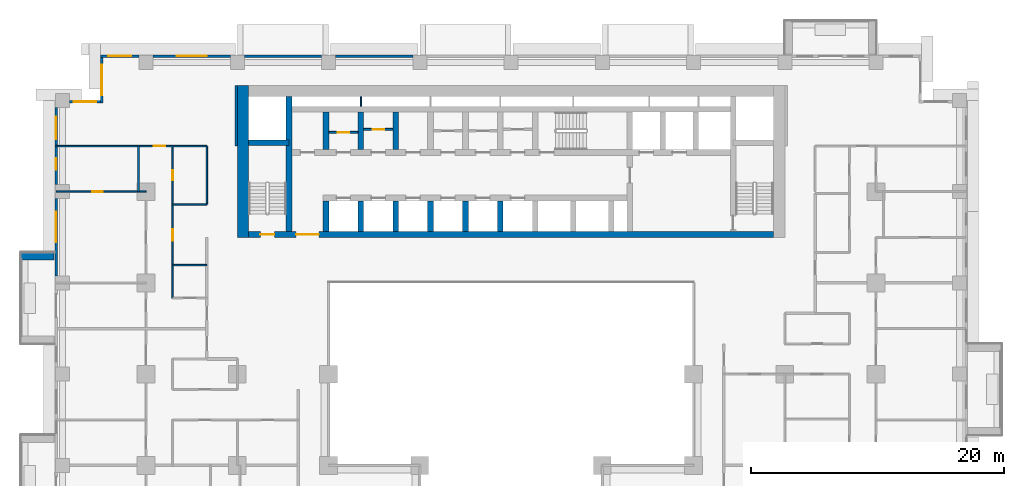
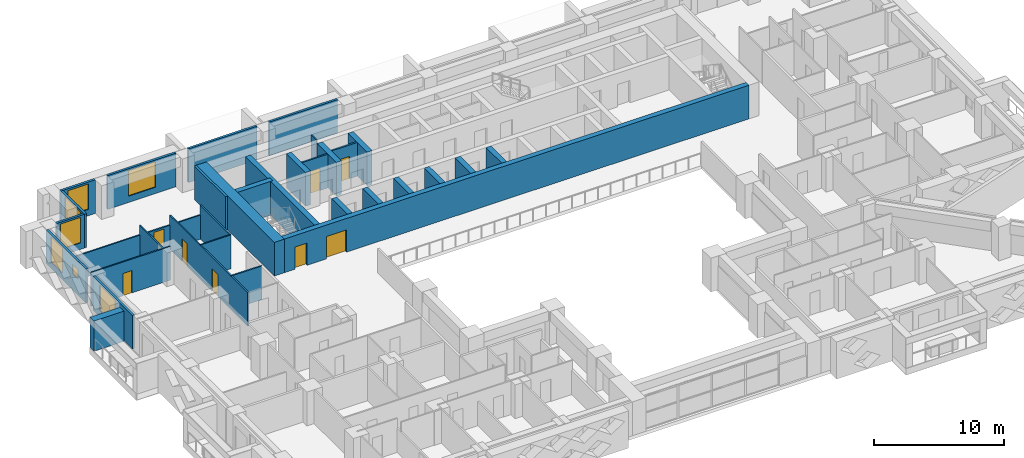
# One storey, part 9 of 16: 33 walls, 8 doors, 7 windows, 15 openings.
"""IFC4 building model written with IfcOpenShell, lengths in metres."""

from ifc_helpers import new_model, si_unit, direction, frame, frame_2d, origin, place, context, subcontext, project, spatial, rectangle, extrude, material, layer, layer_set, type_object, element, fill, save


model = new_model("IFC4")

# Units and contexts
model_context = context("Model", 3, precision=1e-05, world=origin(), true_north=direction((0.0, 1.0)))
body_context = subcontext(model_context, "Body", "Model", "MODEL_VIEW")
ifc_project = project(units=[si_unit("LENGTHUNIT", "METRE"), si_unit("AREAUNIT", "SQUARE_METRE"), si_unit("VOLUMEUNIT", "CUBIC_METRE"), si_unit("PLANEANGLEUNIT", "RADIAN"), si_unit("MASSUNIT", "GRAM", prefix="KILO")], contexts=[model_context])

# Site, building, storey
site_placement = place(None, origin())
site = spatial("IfcSite", under=ifc_project, at=site_placement, CompositionType="ELEMENT")
building_placement = place(site_placement, origin())
building = spatial("IfcBuilding", under=site, at=building_placement, Name="Saffron Iwan Residences", CompositionType="ELEMENT")
storey_placement = place(building_placement, frame((0.0, 0.0, 44.5)))
storey = spatial("IfcBuildingStorey", under=building, at=storey_placement, Name="L10", CompositionType="ELEMENT", Elevation=44.5)

# Wall
ifc_material_1 = material(Name="Concrete C50/60 white painted", Category="concrete")
ifc_layer_1 = layer(ifc_material_1, 0.60009765625)
ifc_layer_set_1 = layer_set([ifc_layer_1], Name="Concrete C50/60 white painted")
wall_type_1 = type_object("IfcWallType", Name="BALCONY FIN 600", PredefinedType="SOLIDWALL", material=ifc_layer_set_1)
wall_1_placement = place(storey_placement, frame((14.35009765625, 64.5, 0.0), z_axis=(0.0, 0.0, 1.0), x_axis=(-1.0, 0.0, 0.0)))
element("IfcWall", 1, at=wall_1_placement, inside=storey, type_object=wall_type_1, Name="Balcony fin L10 F8-0a", PredefinedType="SOLIDWALL", context=body_context, shape_type="SweptSolid", body=[
    extrude(rectangle(XDim=2.650146484375, YDim=0.60009765625, at=frame_2d((1.3251953125, 0.0))), origin(), (0.0, 0.0, 1.0), 2.85009765625),
])

# Wall, opening, door
ifc_material_2 = material(Name="Fire-rated plasterboard partition")
ifc_layer_2 = layer(ifc_material_2, 0.14990234375)
ifc_layer_set_2 = layer_set([ifc_layer_2], Name="Fire-rated plasterboard partition")
wall_type_2 = type_object("IfcWallType", Name="Core partition 150", PredefinedType="PARTITIONING", material=ifc_layer_set_2)
wall_2_placement = place(storey_placement, frame((36.02490234375, 74.281982421875, 0.0), z_axis=(0.0, 0.0, 1.0), x_axis=(1.0, 0.0, 0.0)))
wall_2 = element("IfcWall", 2, at=wall_2_placement, inside=storey, type_object=wall_type_2, Name="Core partition P01", PredefinedType="PARTITIONING", context=body_context, shape_type="SweptSolid", body=[
    extrude(rectangle(XDim=2.300048828125, YDim=0.14990234375, at=frame_2d((1.14990234375, 0.0))), origin(), (0.0, 0.0, 1.0), 3.179931640625),
])
opening_1_placement = place(wall_2_placement, frame((0.699951171875, 0.0, 0.0)))
opening_1 = element("IfcOpeningElement", 3, at=opening_1_placement, cuts=wall_2, Name="Opening SB", PredefinedType="OPENING", context=body_context, shape_type="SweptSolid", body=[
    extrude(rectangle(XDim=0.89990234375, YDim=2.10009765625, at=frame_2d((0.449951171875, 1.050048828125))), frame((0.0, 0.0849609375, 0.0), z_axis=(0.0, -1.0, 0.0), x_axis=(1.0, 0.0, 0.0)), (0.0, 0.0, 1.0), 0.169921875),
])
ifc_material_3 = material(Name="Steel fire door", Category="steel")
door_type_1 = type_object("IfcDoorType", Name="Store door 900", OperationType="NOTDEFINED", PredefinedType="DOOR", material=ifc_material_3)
door_1_placement = place(opening_1_placement, origin())
door_1 = element("IfcDoor", 4, at=door_1_placement, inside=storey, type_object=door_type_1, Name="Door Stationery store", OperationType="SINGLE_SWING_LEFT", OverallHeight=2.10009765625, OverallWidth=0.89990234375, PredefinedType="DOOR", context=body_context, shape_type="SweptSolid", body=[
    extrude(rectangle(XDim=0.89990234375, YDim=2.10009765625, at=frame_2d((0.449951171875, 1.050048828125))), frame((0.0, 0.02490234375, 0.0), z_axis=(0.0, -1.0, 0.0), x_axis=(1.0, 0.0, 0.0)), (0.0, 0.0, 1.0), 0.050048828125),
])
fill(opening_1, door_1)

wall_3_placement = place(storey_placement, frame((38.77490234375, 74.51806640625, 0.0), z_axis=(0.0, 0.0, 1.0), x_axis=(1.0, 0.0, 0.0)))
wall_3 = element("IfcWall", 5, at=wall_3_placement, inside=storey, type_object=wall_type_2, Name="Core partition P02", PredefinedType="PARTITIONING", context=body_context, shape_type="SweptSolid", body=[
    extrude(rectangle(XDim=2.300048828125, YDim=0.14990234375, at=frame_2d((1.14990234375, 0.0))), origin(), (0.0, 0.0, 1.0), 3.179931640625),
])
opening_2_placement = place(wall_3_placement, frame((0.699951171875, 0.0, 0.0)))
opening_2 = element("IfcOpeningElement", 6, at=opening_2_placement, cuts=wall_3, Name="Opening SB", PredefinedType="OPENING", context=body_context, shape_type="SweptSolid", body=[
    extrude(rectangle(XDim=0.89990234375, YDim=2.10009765625, at=frame_2d((0.449951171875, 1.050048828125))), frame((0.0, 0.0849609375, 0.0), z_axis=(0.0, -1.0, 0.0), x_axis=(1.0, 0.0, 0.0)), (0.0, 0.0, 1.0), 0.169921875),
])
door_2_placement = place(opening_2_placement, origin())
door_2 = element("IfcDoor", 7, at=door_2_placement, inside=storey, type_object=door_type_1, Name="Door Tool store", OperationType="SINGLE_SWING_LEFT", OverallHeight=2.10009765625, OverallWidth=0.89990234375, PredefinedType="DOOR", context=body_context, shape_type="SweptSolid", body=[
    extrude(rectangle(XDim=0.89990234375, YDim=2.10009765625, at=frame_2d((0.449951171875, 1.050048828125))), frame((0.0, 0.02490234375, 0.0), z_axis=(0.0, -1.0, 0.0), x_axis=(1.0, 0.0, 0.0)), (0.0, 0.0, 1.0), 0.050048828125),
])
fill(opening_2, door_2)

# Walls
ifc_material_4 = material(Name="Concrete C40/50", Category="concrete")
ifc_layer_3 = layer(ifc_material_4, 0.199951171875)
ifc_layer_set_3 = layer_set([ifc_layer_3], Name="Concrete C40/50")
wall_type_3 = type_object("IfcWallType", Name="EXTERNAL WALL 200", PredefinedType="SOLIDWALL", material=ifc_layer_set_3)
for number, where, z_axis, x_axis, name in (
    (8, (42.64990234375, 80.300048828125, 0.0), (0.0, 0.0, 1.0), (-1.0, 0.0, 0.0), "External wall L10 F5.6"),
    (9, (35.449951171875, 80.300048828125, 0.0), (0.0, 0.0, 1.0), (-1.0, 0.0, 0.0), "External wall L10 F5.7"),
):
    element("IfcWall", number, at=place(storey_placement, frame(where, z_axis=z_axis, x_axis=x_axis)), inside=storey, type_object=wall_type_3, Name=name, PredefinedType="SOLIDWALL", context=body_context, shape_type="SweptSolid", body=[
        extrude(rectangle(XDim=6.099853515625, YDim=0.199951171875, at=frame_2d((3.0498046875, 0.0))), origin(), (0.0, 0.0, 1.0), 3.179931640625),
    ])

# Wall, opening, window
wall_4_placement = place(storey_placement, frame((28.25, 80.300048828125, 0.0), z_axis=(0.0, 0.0, 1.0), x_axis=(-1.0, 0.0, 0.0)))
wall_4 = element("IfcWall", 10, at=wall_4_placement, inside=storey, type_object=wall_type_3, Name="External wall L10 F5.8", PredefinedType="SOLIDWALL", context=body_context, shape_type="SweptSolid", body=[
    extrude(rectangle(XDim=6.10009765625, YDim=0.199951171875, at=frame_2d((3.050048828125, 0.0))), origin(), (0.0, 0.0, 1.0), 3.179931640625),
])
opening_3_placement = place(wall_4_placement, frame((1.85009765625, 0.0, 0.60009765625)))
opening_3 = element("IfcOpeningElement", 11, at=opening_3_placement, cuts=wall_4, Name="Opening W1", PredefinedType="OPENING", context=body_context, shape_type="SweptSolid", body=[
    extrude(rectangle(XDim=2.39990234375, YDim=2.39990234375, at=frame_2d((1.199951171875, 1.199951171875))), frame((0.0, 0.10986328125, 0.0), z_axis=(0.0, -1.0, 0.0), x_axis=(1.0, 0.0, 0.0)), (0.0, 0.0, 1.0), 0.219970703125),
])
ifc_material_5 = material(Name="Clear glass, laminated double glazed", Category="glass")
window_type_1 = type_object("IfcWindowType", Name="WINDOW 2400 x 2400", PartitioningType="DOUBLE_PANEL_VERTICAL", PredefinedType="WINDOW", material=ifc_material_5)
window_1_placement = place(opening_3_placement, origin())
window_1 = element("IfcWindow", 12, at=window_1_placement, inside=storey, type_object=window_type_1, Name="Window L10 F5.0", OverallHeight=2.39990234375, OverallWidth=2.39990234375, PartitioningType="DOUBLE_PANEL_VERTICAL", PredefinedType="WINDOW", context=body_context, shape_type="SweptSolid", body=[
    extrude(rectangle(XDim=2.39990234375, YDim=2.39990234375, at=frame_2d((1.199951171875, 1.199951171875))), frame((0.0, 0.030029296875, 0.0), z_axis=(0.0, -1.0, 0.0), x_axis=(1.0, 0.0, 0.0)), (0.0, 0.0, 1.0), 0.06005859375),
])
fill(opening_3, window_1)

wall_5_placement = place(storey_placement, frame((21.050048828125, 80.300048828125, 0.0), z_axis=(0.0, 0.0, 1.0), x_axis=(-1.0, 0.0, 0.0)))
wall_5 = element("IfcWall", 13, at=wall_5_placement, inside=storey, type_object=wall_type_3, Name="External wall L10 F5.9", PredefinedType="SOLIDWALL", context=body_context, shape_type="SweptSolid", body=[
    extrude(rectangle(XDim=3.050048828125, YDim=0.199951171875, at=frame_2d((1.52490234375, 0.0))), origin(), (0.0, 0.0, 1.0), 3.179931640625),
])
opening_4_placement = place(wall_5_placement, frame((0.625, 0.0, 0.60009765625)))
opening_4 = element("IfcOpeningElement", 14, at=opening_4_placement, cuts=wall_5, Name="Opening W8", PredefinedType="OPENING", context=body_context, shape_type="SweptSolid", body=[
    extrude(rectangle(XDim=1.800048828125, YDim=2.39990234375, at=frame_2d((0.89990234375, 1.199951171875))), frame((0.0, 0.10986328125, 0.0), z_axis=(0.0, -1.0, 0.0), x_axis=(1.0, 0.0, 0.0)), (0.0, 0.0, 1.0), 0.219970703125),
])
window_type_2 = type_object("IfcWindowType", Name="WINDOW 1800 x 2400", PartitioningType="DOUBLE_PANEL_VERTICAL", PredefinedType="WINDOW", material=ifc_material_5)
window_2_placement = place(opening_4_placement, origin())
window_2 = element("IfcWindow", 15, at=window_2_placement, inside=storey, type_object=window_type_2, Name="Window L10 F5.0", OverallHeight=2.39990234375, OverallWidth=1.800048828125, PartitioningType="DOUBLE_PANEL_VERTICAL", PredefinedType="WINDOW", context=body_context, shape_type="SweptSolid", body=[
    extrude(rectangle(XDim=1.800048828125, YDim=2.39990234375, at=frame_2d((0.89990234375, 1.199951171875))), frame((0.0, 0.030029296875, 0.0), z_axis=(0.0, -1.0, 0.0), x_axis=(1.0, 0.0, 0.0)), (0.0, 0.0, 1.0), 0.06005859375),
])
fill(opening_4, window_2)

wall_6_placement = place(storey_placement, frame((18.10009765625, 80.199951171875, 0.0), z_axis=(0.0, 0.0, 1.0), x_axis=(0.0, -1.0, 0.0)))
wall_6 = element("IfcWall", 16, at=wall_6_placement, inside=storey, type_object=wall_type_3, Name="External wall L10 F6.0", PredefinedType="SOLIDWALL", context=body_context, shape_type="SweptSolid", body=[
    extrude(rectangle(XDim=3.599853515625, YDim=0.199951171875, at=frame_2d((1.7998046875, 0.0))), origin(), (0.0, 0.0, 1.0), 3.179931640625),
])
opening_5_placement = place(wall_6_placement, frame((0.60009765625, 0.0, 0.60009765625)))
opening_5 = element("IfcOpeningElement", 17, at=opening_5_placement, cuts=wall_6, Name="Opening W1", PredefinedType="OPENING", context=body_context, shape_type="SweptSolid", body=[
    extrude(rectangle(XDim=2.39990234375, YDim=2.39990234375, at=frame_2d((1.199951171875, 1.199951171875))), frame((0.0, 0.10986328125, 0.0), z_axis=(0.0, -1.0, 0.0), x_axis=(1.0, 0.0, 0.0)), (0.0, 0.0, 1.0), 0.219970703125),
])
window_3_placement = place(opening_5_placement, origin())
window_3 = element("IfcWindow", 18, at=window_3_placement, inside=storey, type_object=window_type_1, Name="Window L10 F6.0", OverallHeight=2.39990234375, OverallWidth=2.39990234375, PartitioningType="DOUBLE_PANEL_VERTICAL", PredefinedType="WINDOW", context=body_context, shape_type="SweptSolid", body=[
    extrude(rectangle(XDim=2.39990234375, YDim=2.39990234375, at=frame_2d((1.199951171875, 1.199951171875))), frame((0.0, 0.030029296875, 0.0), z_axis=(0.0, -1.0, 0.0), x_axis=(1.0, 0.0, 0.0)), (0.0, 0.0, 1.0), 0.06005859375),
])
fill(opening_5, window_3)

wall_7_placement = place(storey_placement, frame((18.0, 76.699951171875, 0.0), z_axis=(0.0, 0.0, 1.0), x_axis=(-1.0, 0.0, 0.0)))
wall_7 = element("IfcWall", 19, at=wall_7_placement, inside=storey, type_object=wall_type_3, Name="External wall L10 F7.0", PredefinedType="SOLIDWALL", context=body_context, shape_type="SweptSolid", body=[
    extrude(rectangle(XDim=2.449951171875, YDim=0.199951171875, at=frame_2d((1.22509765625, 0.0))), origin(), (0.0, 0.0, 1.0), 3.179931640625),
])
opening_6_placement = place(wall_7_placement, frame((0.324951171875, 0.0, 0.60009765625)))
opening_6 = element("IfcOpeningElement", 20, at=opening_6_placement, cuts=wall_7, Name="Opening W8", PredefinedType="OPENING", context=body_context, shape_type="SweptSolid", body=[
    extrude(rectangle(XDim=1.800048828125, YDim=2.39990234375, at=frame_2d((0.89990234375, 1.199951171875))), frame((0.0, 0.10986328125, 0.0), z_axis=(0.0, -1.0, 0.0), x_axis=(1.0, 0.0, 0.0)), (0.0, 0.0, 1.0), 0.219970703125),
])
window_4_placement = place(opening_6_placement, origin())
window_4 = element("IfcWindow", 21, at=window_4_placement, inside=storey, type_object=window_type_2, Name="Window L10 F7.0", OverallHeight=2.39990234375, OverallWidth=1.800048828125, PartitioningType="DOUBLE_PANEL_VERTICAL", PredefinedType="WINDOW", context=body_context, shape_type="SweptSolid", body=[
    extrude(rectangle(XDim=1.800048828125, YDim=2.39990234375, at=frame_2d((0.89990234375, 1.199951171875))), frame((0.0, 0.030029296875, 0.0), z_axis=(0.0, -1.0, 0.0), x_axis=(1.0, 0.0, 0.0)), (0.0, 0.0, 1.0), 0.06005859375),
])
fill(opening_6, window_4)

# Wall, openings, windows
wall_8_placement = place(storey_placement, frame((14.5, 76.25, 0.0), z_axis=(0.0, 0.0, 1.0), x_axis=(0.0, -1.0, 0.0)))
wall_8 = element("IfcWall", 22, at=wall_8_placement, inside=storey, type_object=wall_type_3, Name="External wall L10 F8.0", PredefinedType="SOLIDWALL", context=body_context, shape_type="SweptSolid", body=[
    extrude(rectangle(XDim=6.10009765625, YDim=0.199951171875, at=frame_2d((3.050048828125, 0.0))), origin(), (0.0, 0.0, 1.0), 3.179931640625),
])
opening_7_placement = place(wall_8_placement, frame((4.02490234375, 0.0, 1.5)))
opening_7 = element("IfcOpeningElement", 23, at=opening_7_placement, cuts=wall_8, Name="Opening W6", PredefinedType="OPENING", context=body_context, shape_type="SweptSolid", body=[
    extrude(rectangle(XDim=0.89990234375, YDim=0.89990234375, at=frame_2d((0.449951171875, 0.449951171875))), frame((0.0, 0.10986328125, 0.0), z_axis=(0.0, -1.0, 0.0), x_axis=(1.0, 0.0, 0.0)), (0.0, 0.0, 1.0), 0.219970703125),
])
opening_8_placement = place(wall_8_placement, frame((0.72509765625, 0.0, 0.60009765625)))
opening_8 = element("IfcOpeningElement", 24, at=opening_8_placement, cuts=wall_8, Name="Opening W8", PredefinedType="OPENING", context=body_context, shape_type="SweptSolid", body=[
    extrude(rectangle(XDim=1.800048828125, YDim=2.39990234375, at=frame_2d((0.89990234375, 1.199951171875))), frame((0.0, 0.10986328125, 0.0), z_axis=(0.0, -1.0, 0.0), x_axis=(1.0, 0.0, 0.0)), (0.0, 0.0, 1.0), 0.219970703125),
])
window_5_placement = place(opening_8_placement, origin())
window_5 = element("IfcWindow", 25, at=window_5_placement, inside=storey, type_object=window_type_2, Name="Window L10 F8.1", OverallHeight=2.39990234375, OverallWidth=1.800048828125, PartitioningType="DOUBLE_PANEL_VERTICAL", PredefinedType="WINDOW", context=body_context, shape_type="SweptSolid", body=[
    extrude(rectangle(XDim=1.800048828125, YDim=2.39990234375, at=frame_2d((0.89990234375, 1.199951171875))), frame((0.0, 0.030029296875, 0.0), z_axis=(0.0, -1.0, 0.0), x_axis=(1.0, 0.0, 0.0)), (0.0, 0.0, 1.0), 0.06005859375),
])
fill(opening_8, window_5)
window_type_3 = type_object("IfcWindowType", Name="WINDOW 900 x 900 BATH", PartitioningType="SINGLE_PANEL", PredefinedType="WINDOW", material=ifc_material_5)
window_6_placement = place(opening_7_placement, origin())
window_6 = element("IfcWindow", 26, at=window_6_placement, inside=storey, type_object=window_type_3, Name="Window L10 F8.0", OverallHeight=0.89990234375, OverallWidth=0.89990234375, PartitioningType="SINGLE_PANEL", PredefinedType="WINDOW", context=body_context, shape_type="SweptSolid", body=[
    extrude(rectangle(XDim=0.89990234375, YDim=0.89990234375, at=frame_2d((0.449951171875, 0.449951171875))), frame((0.0, 0.030029296875, 0.0), z_axis=(0.0, -1.0, 0.0), x_axis=(1.0, 0.0, 0.0)), (0.0, 0.0, 1.0), 0.06005859375),
])
fill(opening_7, window_6)

# Wall, opening, window
wall_9_placement = place(storey_placement, frame((14.5, 69.050048828125, 0.0), z_axis=(0.0, 0.0, 1.0), x_axis=(0.0, -1.0, 0.0)))
wall_9 = element("IfcWall", 27, at=wall_9_placement, inside=storey, type_object=wall_type_3, Name="External wall L10 F8.1", PredefinedType="SOLIDWALL", context=body_context, shape_type="SweptSolid", body=[
    extrude(rectangle(XDim=6.10009765625, YDim=0.199951171875, at=frame_2d((3.050048828125, 0.0))), origin(), (0.0, 0.0, 1.0), 3.179931640625),
])
opening_9_placement = place(wall_9_placement, frame((1.02490234375, 0.0, 0.60009765625)))
opening_9 = element("IfcOpeningElement", 28, at=opening_9_placement, cuts=wall_9, Name="Opening W1", PredefinedType="OPENING", context=body_context, shape_type="SweptSolid", body=[
    extrude(rectangle(XDim=2.39990234375, YDim=2.39990234375, at=frame_2d((1.199951171875, 1.199951171875))), frame((0.0, 0.10986328125, 0.0), z_axis=(0.0, -1.0, 0.0), x_axis=(1.0, 0.0, 0.0)), (0.0, 0.0, 1.0), 0.219970703125),
])
window_7_placement = place(opening_9_placement, origin())
window_7 = element("IfcWindow", 29, at=window_7_placement, inside=storey, type_object=window_type_1, Name="Window L10 F8.0", OverallHeight=2.39990234375, OverallWidth=2.39990234375, PartitioningType="DOUBLE_PANEL_VERTICAL", PredefinedType="WINDOW", context=body_context, shape_type="SweptSolid", body=[
    extrude(rectangle(XDim=2.39990234375, YDim=2.39990234375, at=frame_2d((1.199951171875, 1.199951171875))), frame((0.0, 0.030029296875, 0.0), z_axis=(0.0, -1.0, 0.0), x_axis=(1.0, 0.0, 0.0)), (0.0, 0.0, 1.0), 0.06005859375),
])
fill(opening_9, window_7)

# Walls
ifc_material_6 = material(Name="Gypsum board partition")
ifc_layer_4 = layer(ifc_material_6, 0.1201171875)
ifc_layer_set_4 = layer_set([ifc_layer_4], Name="Gypsum board partition")
wall_type_4 = type_object("IfcWallType", Name="Flat partition 120", PredefinedType="PARTITIONING", material=ifc_layer_set_4)
for number, where, z_axis, x_axis, name in (
    (30, (23.699951171875, 63.800048828125, 0.0), (0.0, 0.0, 1.0), (1.0, 0.0, 0.0), "W-L10-PART-h63.8-23.7"),
    (31, (23.699951171875, 68.60009765625, 0.0), (0.0, 0.0, 1.0), (1.0, 0.0, 0.0), "W-L10-PART-h68.6-23.7"),
):
    element("IfcWall", number, at=place(storey_placement, frame(where, z_axis=z_axis, x_axis=x_axis)), inside=storey, type_object=wall_type_4, Name=name, PredefinedType="PARTITIONING", context=body_context, shape_type="SweptSolid", body=[
        extrude(rectangle(XDim=2.699951171875, YDim=0.1201171875, at=frame_2d((1.35009765625, 0.0))), origin(), (0.0, 0.0, 1.0), 3.179931640625),
    ])

# Wall, opening, door
wall_10_placement = place(storey_placement, frame((14.52490234375, 69.60009765625, 0.0), z_axis=(0.0, 0.0, 1.0), x_axis=(1.0, 0.0, 0.0)))
wall_10 = element("IfcWall", 32, at=wall_10_placement, inside=storey, type_object=wall_type_4, Name="W-L10-PART-h69.6-14.525", PredefinedType="PARTITIONING", context=body_context, shape_type="SweptSolid", body=[
    extrude(rectangle(XDim=7.0751953125, YDim=0.1201171875, at=frame_2d((3.53759765625, 0.0))), origin(), (0.0, 0.0, 1.0), 3.179931640625),
])
opening_10_placement = place(wall_10_placement, frame((2.83740234375, 0.0, 0.0)))
opening_10 = element("IfcOpeningElement", 33, at=opening_10_placement, cuts=wall_10, Name="Opening FD3", PredefinedType="OPENING", context=body_context, shape_type="SweptSolid", body=[
    extrude(rectangle(XDim=0.800048828125, YDim=2.10009765625, at=frame_2d((0.39990234375, 1.050048828125))), frame((0.0, 0.070068359375, 0.0), z_axis=(0.0, -1.0, 0.0), x_axis=(1.0, 0.0, 0.0)), (0.0, 0.0, 1.0), 0.14013671875),
])
ifc_material_7 = material(Name="Timber door", Category="wood")
door_type_2 = type_object("IfcDoorType", Name="Bathroom door 800", OperationType="NOTDEFINED", PredefinedType="DOOR", material=ifc_material_7)
door_3_placement = place(opening_10_placement, origin())
door_3 = element("IfcDoor", 34, at=door_3_placement, inside=storey, type_object=door_type_2, Name="Door L10-030", OperationType="SINGLE_SWING_RIGHT", OverallHeight=2.10009765625, OverallWidth=0.800048828125, PredefinedType="DOOR", context=body_context, shape_type="SweptSolid", body=[
    extrude(rectangle(XDim=0.800048828125, YDim=2.10009765625, at=frame_2d((0.39990234375, 1.050048828125))), frame((0.0, 0.02490234375, 0.0), z_axis=(0.0, -1.0, 0.0), x_axis=(1.0, 0.0, 0.0)), (0.0, 0.0, 1.0), 0.050048828125),
])
fill(opening_10, door_3)

wall_11_placement = place(storey_placement, frame((14.52490234375, 73.199951171875, 0.0), z_axis=(0.0, 0.0, 1.0), x_axis=(1.0, 0.0, 0.0)))
wall_11 = element("IfcWall", 35, at=wall_11_placement, inside=storey, type_object=wall_type_4, Name="W-L10-PART-h73.2-14.525", PredefinedType="PARTITIONING", context=body_context, shape_type="SweptSolid", body=[
    extrude(rectangle(XDim=11.875, YDim=0.1201171875, at=frame_2d((5.9375, 0.0))), origin(), (0.0, 0.0, 1.0), 2.280029296875),
])
opening_11_placement = place(wall_11_placement, frame((7.675048828125, 0.0, 0.0)))
opening_11 = element("IfcOpeningElement", 36, at=opening_11_placement, cuts=wall_11, Name="Opening FD2", PredefinedType="OPENING", context=body_context, shape_type="SweptSolid", body=[
    extrude(rectangle(XDim=0.89990234375, YDim=2.10009765625, at=frame_2d((0.449951171875, 1.050048828125))), frame((0.0, 0.070068359375, 0.0), z_axis=(0.0, -1.0, 0.0), x_axis=(1.0, 0.0, 0.0)), (0.0, 0.0, 1.0), 0.14013671875),
])
door_type_3 = type_object("IfcDoorType", Name="Flat door 900", OperationType="NOTDEFINED", PredefinedType="DOOR", material=ifc_material_7)
door_4_placement = place(opening_11_placement, origin())
door_4 = element("IfcDoor", 37, at=door_4_placement, inside=storey, type_object=door_type_3, Name="Door L10-031", OperationType="SINGLE_SWING_LEFT", OverallHeight=2.10009765625, OverallWidth=0.89990234375, PredefinedType="DOOR", context=body_context, shape_type="SweptSolid", body=[
    extrude(rectangle(XDim=0.89990234375, YDim=2.10009765625, at=frame_2d((0.449951171875, 1.050048828125))), frame((0.0, 0.02490234375, 0.0), z_axis=(0.0, -1.0, 0.0), x_axis=(1.0, 0.0, 0.0)), (0.0, 0.0, 1.0), 0.050048828125),
])
fill(opening_11, door_4)

# Wall
wall_12_placement = place(storey_placement, frame((21.0, 69.60009765625, 0.0), z_axis=(0.0, 0.0, 1.0), x_axis=(0.0, 1.0, 0.0)))
element("IfcWall", 38, at=wall_12_placement, inside=storey, type_object=wall_type_4, Name="W-L10-PART-v21-69.6", PredefinedType="PARTITIONING", context=body_context, shape_type="SweptSolid", body=[
    extrude(rectangle(XDim=3.599853515625, YDim=0.1201171875, at=frame_2d((1.7998046875, 0.0))), origin(), (0.0, 0.0, 1.0), 3.179931640625),
])

# Wall, openings, doors
wall_13_placement = place(storey_placement, frame((23.699951171875, 61.199951171875, 0.0), z_axis=(0.0, 0.0, 1.0), x_axis=(0.0, 1.0, 0.0)))
wall_13 = element("IfcWall", 39, at=wall_13_placement, inside=storey, type_object=wall_type_4, Name="W-L10-PART-v23.7-61.2", PredefinedType="PARTITIONING", context=body_context, shape_type="SweptSolid", body=[
    extrude(rectangle(XDim=12.0, YDim=0.1201171875, at=frame_2d((6.0, 0.0))), origin(), (0.0, 0.0, 1.0), 3.179931640625),
])
opening_12_placement = place(wall_13_placement, frame((4.550048828125, 0.0, 0.0)))
opening_12 = element("IfcOpeningElement", 40, at=opening_12_placement, cuts=wall_13, Name="Opening FD2", PredefinedType="OPENING", context=body_context, shape_type="SweptSolid", body=[
    extrude(rectangle(XDim=0.89990234375, YDim=2.10009765625, at=frame_2d((0.449951171875, 1.050048828125))), frame((0.0, 0.070068359375, 0.0), z_axis=(0.0, -1.0, 0.0), x_axis=(1.0, 0.0, 0.0)), (0.0, 0.0, 1.0), 0.14013671875),
])
opening_13_placement = place(wall_13_placement, frame((9.300048828125, 0.0, 0.0)))
opening_13 = element("IfcOpeningElement", 41, at=opening_13_placement, cuts=wall_13, Name="Opening FD3", PredefinedType="OPENING", context=body_context, shape_type="SweptSolid", body=[
    extrude(rectangle(XDim=0.800048828125, YDim=2.10009765625, at=frame_2d((0.39990234375, 1.050048828125))), frame((0.0, 0.070068359375, 0.0), z_axis=(0.0, -1.0, 0.0), x_axis=(1.0, 0.0, 0.0)), (0.0, 0.0, 1.0), 0.14013671875),
])
door_5_placement = place(opening_13_placement, origin())
door_5 = element("IfcDoor", 42, at=door_5_placement, inside=storey, type_object=door_type_2, Name="Door L10-034", OperationType="SINGLE_SWING_LEFT", OverallHeight=2.10009765625, OverallWidth=0.800048828125, PredefinedType="DOOR", context=body_context, shape_type="SweptSolid", body=[
    extrude(rectangle(XDim=0.800048828125, YDim=2.10009765625, at=frame_2d((0.39990234375, 1.050048828125))), frame((0.0, 0.02490234375, 0.0), z_axis=(0.0, -1.0, 0.0), x_axis=(1.0, 0.0, 0.0)), (0.0, 0.0, 1.0), 0.050048828125),
])
fill(opening_13, door_5)
door_6_placement = place(opening_12_placement, origin())
door_6 = element("IfcDoor", 43, at=door_6_placement, inside=storey, type_object=door_type_3, Name="Door L10-033", OperationType="SINGLE_SWING_RIGHT", OverallHeight=2.10009765625, OverallWidth=0.89990234375, PredefinedType="DOOR", context=body_context, shape_type="SweptSolid", body=[
    extrude(rectangle(XDim=0.89990234375, YDim=2.10009765625, at=frame_2d((0.449951171875, 1.050048828125))), frame((0.0, 0.02490234375, 0.0), z_axis=(0.0, -1.0, 0.0), x_axis=(1.0, 0.0, 0.0)), (0.0, 0.0, 1.0), 0.050048828125),
])
fill(opening_12, door_6)

# Walls
wall_14_placement = place(storey_placement, frame((26.39990234375, 68.60009765625, 0.0), z_axis=(0.0, 0.0, 1.0), x_axis=(0.0, 1.0, 0.0)))
element("IfcWall", 44, at=wall_14_placement, inside=storey, type_object=wall_type_4, Name="W-L10-PART-v26.4-68.6", PredefinedType="PARTITIONING", context=body_context, shape_type="SweptSolid", body=[
    extrude(rectangle(XDim=4.599853515625, YDim=0.1201171875, at=frame_2d((2.2998046875, 0.0))), origin(), (0.0, 0.0, 1.0), 3.179931640625),
])
ifc_material_8 = material(Name="Fire-rated gypsum board wall")
ifc_layer_5 = layer(ifc_material_8, 0.199951171875)
ifc_layer_set_5 = layer_set([ifc_layer_5], Name="Fire-rated gypsum board wall")
wall_type_5 = type_object("IfcWallType", Name="Gallery wall 200", PredefinedType="SOLIDWALL", material=ifc_layer_set_5)
wall_15_placement = place(storey_placement, frame((28.699951171875, 73.199951171875, 0.0), z_axis=(0.0, 0.0, 1.0), x_axis=(0.0, 1.0, 0.0)))
element("IfcWall", 45, at=wall_15_placement, inside=storey, type_object=wall_type_5, Name="W-L10-CORR-v28.8-73.2", PredefinedType="SOLIDWALL", context=body_context, shape_type="SweptSolid", body=[
    extrude(rectangle(XDim=4.800048828125, YDim=0.199951171875, at=frame_2d((2.39990234375, 0.0))), origin(), (0.0, 0.0, 1.0), 3.179931640625),
])
ifc_layer_6 = layer(ifc_material_2, 0.10009765625)
ifc_layer_set_6 = layer_set([ifc_layer_6], Name="Fire-rated plasterboard partition")
wall_type_6 = type_object("IfcWallType", Name="Riser partition 100", PredefinedType="PARTITIONING", material=ifc_layer_set_6)
wall_16_placement = place(storey_placement, frame((38.550048828125, 76.324951171875, 0.0), z_axis=(0.0, 0.0, 1.0), x_axis=(0.0, 1.0, 0.0)))
element("IfcWall", 46, at=wall_16_placement, inside=storey, type_object=wall_type_6, Name="Core partition P06", PredefinedType="PARTITIONING", context=body_context, shape_type="SweptSolid", body=[
    extrude(rectangle(XDim=0.775146484375, YDim=0.10009765625, at=frame_2d((0.3876953125, 0.0))), origin(), (0.0, 0.0, 1.0), 3.179931640625),
])

# Wall, openings, doors
ifc_material_9 = material(Name="Concrete C60/75", Category="concrete")
ifc_layer_7 = layer(ifc_material_9, 0.449951171875)
ifc_layer_set_7 = layer_set([ifc_layer_7], Name="Concrete C60/75")
wall_type_7 = type_object("IfcWallType", Name="WALL CORE 450 C60/75 3180 HIGH", PredefinedType="SHEAR", material=ifc_layer_set_7)
wall_17_placement = place(storey_placement, frame((29.699951171875, 66.22509765625, 0.0), z_axis=(0.0, 0.0, 1.0), x_axis=(1.0, 0.0, 0.0)))
wall_17 = element("IfcWall", 47, at=wall_17_placement, inside=storey, type_object=wall_type_7, Name="Core wall", PredefinedType="SHEAR", context=body_context, shape_type="SweptSolid", body=[
    extrude(rectangle(XDim=41.400146484375, YDim=0.449951171875, at=frame_2d((20.7001953125, 0.0))), origin(), (0.0, 0.0, 1.0), 3.179931640625),
])
opening_14_placement = place(wall_17_placement, frame((0.925048828125, 0.0, 0.0)))
opening_14 = element("IfcOpeningElement", 48, at=opening_14_placement, cuts=wall_17, Name="Opening SD", PredefinedType="OPENING", context=body_context, shape_type="SweptSolid", body=[
    extrude(rectangle(XDim=1.10009765625, YDim=2.10009765625, at=frame_2d((0.550048828125, 1.050048828125))), frame((0.0, 0.23486328125, 0.0), z_axis=(0.0, -1.0, 0.0), x_axis=(1.0, 0.0, 0.0)), (0.0, 0.0, 1.0), 0.469970703125),
])
opening_15_placement = place(wall_17_placement, frame((3.737548828125, 0.0, 0.0)))
opening_15 = element("IfcOpeningElement", 49, at=opening_15_placement, cuts=wall_17, Name="Opening DD", PredefinedType="OPENING", context=body_context, shape_type="SweptSolid", body=[
    extrude(rectangle(XDim=1.800048828125, YDim=2.10009765625, at=frame_2d((0.89990234375, 1.050048828125))), frame((0.0, 0.23486328125, 0.0), z_axis=(0.0, -1.0, 0.0), x_axis=(1.0, 0.0, 0.0)), (0.0, 0.0, 1.0), 0.469970703125),
])
door_type_4 = type_object("IfcDoorType", Name="Lobby double door 1800", OperationType="DOUBLE_DOOR_SINGLE_SWING", PredefinedType="DOOR", material=ifc_material_3)
door_7_placement = place(opening_15_placement, origin())
door_7 = element("IfcDoor", 50, at=door_7_placement, inside=storey, type_object=door_type_4, Name="Lobby doors", OperationType="DOUBLE_DOOR_SINGLE_SWING", OverallHeight=2.10009765625, OverallWidth=1.800048828125, PredefinedType="DOOR", context=body_context, shape_type="SweptSolid", body=[
    extrude(rectangle(XDim=1.800048828125, YDim=2.10009765625, at=frame_2d((0.89990234375, 1.050048828125))), frame((0.0, 0.02490234375, 0.0), z_axis=(0.0, -1.0, 0.0), x_axis=(1.0, 0.0, 0.0)), (0.0, 0.0, 1.0), 0.050048828125),
])
fill(opening_15, door_7)
door_type_5 = type_object("IfcDoorType", Name="Stair door 1100", OperationType="NOTDEFINED", PredefinedType="DOOR", material=ifc_material_3)
door_8_placement = place(opening_14_placement, origin())
door_8 = element("IfcDoor", 51, at=door_8_placement, inside=storey, type_object=door_type_5, Name="Stair door ST-W", OperationType="SINGLE_SWING_LEFT", OverallHeight=2.10009765625, OverallWidth=1.10009765625, PredefinedType="DOOR", context=body_context, shape_type="SweptSolid", body=[
    extrude(rectangle(XDim=1.10009765625, YDim=2.10009765625, at=frame_2d((0.550048828125, 1.050048828125))), frame((0.0, 0.02490234375, 0.0), z_axis=(0.0, -1.0, 0.0), x_axis=(1.0, 0.0, 0.0)), (0.0, 0.0, 1.0), 0.050048828125),
])
fill(opening_14, door_8)

# Walls
wall_18_placement = place(storey_placement, frame((29.699951171875, 73.47509765625, 0.0), z_axis=(0.0, 0.0, 1.0), x_axis=(1.0, 0.0, 0.0)))
element("IfcWall", 52, at=wall_18_placement, inside=storey, type_object=wall_type_7, Name="Core wall", PredefinedType="SHEAR", context=body_context, shape_type="SweptSolid", body=[
    extrude(rectangle(XDim=3.175048828125, YDim=0.449951171875, at=frame_2d((1.58740234375, 0.0))), origin(), (0.0, 0.0, 1.0), 3.179931640625),
])
wall_19_placement = place(storey_placement, frame((32.875, 66.449951171875, 0.0), z_axis=(0.0, 0.0, 1.0), x_axis=(0.0, 1.0, 0.0)))
element("IfcWall", 53, at=wall_19_placement, inside=storey, type_object=wall_type_7, Name="Core wall", PredefinedType="SHEAR", context=body_context, shape_type="SweptSolid", body=[
    extrude(rectangle(XDim=10.650146484375, YDim=0.449951171875, at=frame_2d((5.3251953125, 0.0))), origin(), (0.0, 0.0, 1.0), 3.179931640625),
])
for number, where, z_axis, x_axis, name in (
    (54, (35.800048828125, 66.449951171875, 0.0), (0.0, 0.0, 1.0), (0.0, 1.0, 0.0), "Core wall"),
    (55, (38.550048828125, 66.449951171875, 0.0), (0.0, 0.0, 1.0), (0.0, 1.0, 0.0), "Core wall"),
    (56, (41.300048828125, 66.449951171875, 0.0), (0.0, 0.0, 1.0), (0.0, 1.0, 0.0), "Core wall"),
    (57, (44.050048828125, 66.449951171875, 0.0), (0.0, 0.0, 1.0), (0.0, 1.0, 0.0), "Core wall"),
    (58, (46.800048828125, 66.449951171875, 0.0), (0.0, 0.0, 1.0), (0.0, 1.0, 0.0), "Core wall"),
    (59, (49.550048828125, 66.449951171875, 0.0), (0.0, 0.0, 1.0), (0.0, 1.0, 0.0), "Core wall"),
):
    element("IfcWall", number, at=place(storey_placement, frame(where, z_axis=z_axis, x_axis=x_axis)), inside=storey, type_object=wall_type_7, Name=name, PredefinedType="SHEAR", context=body_context, shape_type="SweptSolid", body=[
        extrude(rectangle(XDim=2.425048828125, YDim=0.449951171875, at=frame_2d((1.21240234375, 0.0))), origin(), (0.0, 0.0, 1.0), 3.179931640625),
    ])
for number, where, z_axis, x_axis, name in (
    (60, (35.800048828125, 72.925048828125, 0.0), (0.0, 0.0, 1.0), (0.0, 1.0, 0.0), "Core wall"),
    (61, (38.550048828125, 72.925048828125, 0.0), (0.0, 0.0, 1.0), (0.0, 1.0, 0.0), "Core wall"),
    (62, (41.300048828125, 72.925048828125, 0.0), (0.0, 0.0, 1.0), (0.0, 1.0, 0.0), "Core wall"),
):
    element("IfcWall", number, at=place(storey_placement, frame(where, z_axis=z_axis, x_axis=x_axis)), inside=storey, type_object=wall_type_7, Name=name, PredefinedType="SHEAR", context=body_context, shape_type="SweptSolid", body=[
        extrude(rectangle(XDim=2.949951171875, YDim=0.449951171875, at=frame_2d((1.47509765625, 0.0))), origin(), (0.0, 0.0, 1.0), 3.179931640625),
    ])
ifc_layer_8 = layer(ifc_material_9, 0.89990234375)
ifc_layer_set_8 = layer_set([ifc_layer_8], Name="Concrete C60/75")
wall_type_8 = type_object("IfcWallType", Name="WALL CORE 900 C60/75 3180 HIGH", PredefinedType="SHEAR", material=ifc_layer_set_8)
wall_20_placement = place(storey_placement, frame((29.25, 66.0, 0.0), z_axis=(0.0, 0.0, 1.0), x_axis=(0.0, 1.0, 0.0)))
element("IfcWall", 63, at=wall_20_placement, inside=storey, type_object=wall_type_8, Name="Core wall", PredefinedType="SHEAR", context=body_context, shape_type="SweptSolid", body=[
    extrude(rectangle(XDim=12.0, YDim=0.89990234375, at=frame_2d((6.0, 0.0))), origin(), (0.0, 0.0, 1.0), 3.179931640625),
])

save(model, "model.ifc")
